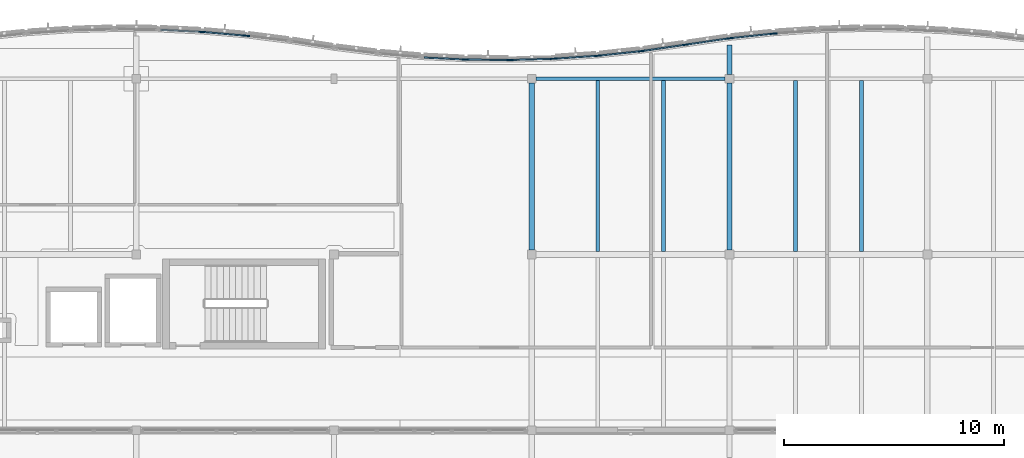
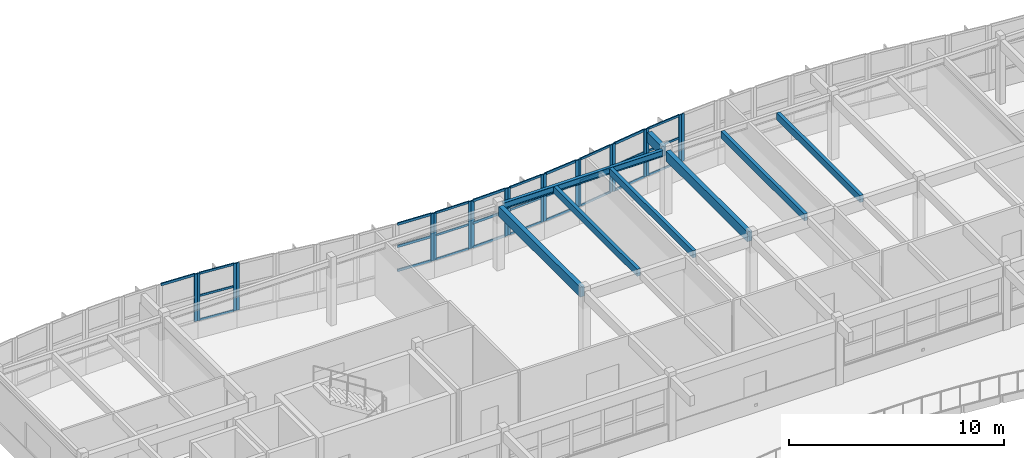
# One storey, part 14 of 52: 48 members, 8 beams, 12 elements without a shape of their own.
"""IFC4 building model written with IfcOpenShell, lengths in metres."""

import ifcopenshell
import ifcopenshell.guid

model = None  # the IFC model being written
_history = None  # IfcOwnerHistory: only IFC2X3 demands one
_inside = {}  # id of a spatial element -> (the spatial element, [elements in it])
_under = {}  # id of a project, library or spatial element -> (it, [spatial elements below it])
_declared = {}  # id of a project -> (the project, [libraries it declares])
_typed = {}  # id of a type object -> (the type object, [elements of that type])
_made_of = {}  # id of a material, layer set ... -> (it, [elements and type objects made of it])


def new_model(schema):
    """Start an empty IFC model of exactly this schema.

    Asked for "IFC4X3", IfcOpenShell would pick the latest addendum, in which some entities
    have other attributes; the version numbers below select the first issue.
    IFC2X3 requires an IfcOwnerHistory on every rooted entity: one is made here for all.
    """
    global model, _history
    if schema == "IFC4X3":
        model = ifcopenshell.file(schema_version=(4, 3, 0, 0))
    else:
        model = ifcopenshell.file(schema=schema)
    _inside.clear()
    _under.clear()
    _declared.clear()
    _typed.clear()
    _made_of.clear()
    _history = None
    if model.schema == "IFC2X3":
        org = make("IfcOrganization", Name="unknown")
        user = make(
            "IfcPersonAndOrganization",
            ThePerson=make("IfcPerson", FamilyName="unknown"),
            TheOrganization=org,
        )
        app = make(
            "IfcApplication",
            ApplicationDeveloper=org,
            Version="unknown",
            ApplicationFullName="unknown",
            ApplicationIdentifier="unknown",
        )
        _history = make(
            "IfcOwnerHistory",
            OwningUser=user,
            OwningApplication=app,
            ChangeAction="ADDED",
            CreationDate=0,
        )
    return model


def make(cls, **values):
    """One entity of the class cls with the attributes given. An attribute that is None is left unset."""
    return model.create_entity(
        cls, **{name: value for name, value in values.items() if value is not None}
    )


def rooted(cls, **values):
    """An entity with a GlobalId (a new one), such as an element, a storey or a relation."""
    return make(cls, GlobalId=ifcopenshell.guid.new(), OwnerHistory=_history, **values)


def si_unit(unit_type, name, prefix=None):
    """IfcSIUnit, for example si_unit("LENGTHUNIT", "METRE", prefix="MILLI")."""
    return make("IfcSIUnit", UnitType=unit_type, Prefix=prefix, Name=name)


def assignment(units):
    """IfcUnitAssignment: the units of a project."""
    return None if units is None else make("IfcUnitAssignment", Units=units)


def point(xyz):
    """IfcCartesianPoint."""
    return None if xyz is None else make("IfcCartesianPoint", Coordinates=xyz)


def direction(xyz):
    """IfcDirection."""
    return None if xyz is None else make("IfcDirection", DirectionRatios=xyz)


def frame(location, z_axis=None, x_axis=None):
    """IfcAxis2Placement3D, a coordinate frame: its origin and axes. An axis left out is left unset."""
    return make(
        "IfcAxis2Placement3D",
        Location=point(location),
        Axis=direction(z_axis),
        RefDirection=direction(x_axis),
    )


def frame_2d(location, x_axis=None):
    """IfcAxis2Placement2D, a coordinate frame in the plane: its origin and x axis."""
    return make(
        "IfcAxis2Placement2D", Location=point(location), RefDirection=direction(x_axis)
    )


def origin():
    """The frame at (0, 0, 0) with its axes left unset."""
    return frame((0.0, 0.0, 0.0))


def origin_2d():
    """The frame at (0, 0) in the plane with its x axis left unset."""
    return frame_2d((0.0, 0.0))


def place(relative_to, where):
    """IfcLocalPlacement: puts the frame where relative to a parent placement (None: the world)."""
    return make(
        "IfcLocalPlacement", PlacementRelTo=relative_to, RelativePlacement=where
    )


def context(
    kind, dimensions, precision=None, world=None, true_north=None, identifier=None
):
    """IfcGeometricRepresentationContext, for example the 3D "Model" context."""
    return make(
        "IfcGeometricRepresentationContext",
        ContextIdentifier=identifier,
        ContextType=kind,
        CoordinateSpaceDimension=dimensions,
        Precision=precision,
        WorldCoordinateSystem=world,
        TrueNorth=true_north,
    )


def subcontext(parent, identifier, kind, view, scale=None):
    """IfcGeometricRepresentationSubContext, for example "Body" below "Model"."""
    return make(
        "IfcGeometricRepresentationSubContext",
        ContextIdentifier=identifier,
        ContextType=kind,
        ParentContext=parent,
        TargetScale=scale,
        TargetView=view,
    )


def project(units=None, contexts=None):
    """IfcProject with its units and contexts."""
    return rooted(
        "IfcProject",
        Name="project",
        RepresentationContexts=contexts,
        UnitsInContext=assignment(units),
    )


def spatial(cls, under=None, at=None, **own):
    """A site, building, storey or space (cls), placed at a placement, below another one or the project."""
    s = rooted(cls, ObjectPlacement=at, **own)
    if under is not None:
        _under.setdefault(under.id(), (under, []))[1].append(s)
    return s


def profile(cls, at=None, kind="AREA", **sizes):
    """A parametric profile (cls). Its sizes go by their IFC names, for example OverallWidth=200.0."""
    return make(cls, ProfileType=kind, Position=at, **sizes)


def rectangle(**sizes):
    """IfcRectangleProfileDef."""
    return profile("IfcRectangleProfileDef", **sizes)


def i_section(**sizes):
    """IfcIShapeProfileDef."""
    return profile("IfcIShapeProfileDef", **sizes)


def extrude(swept, where, along, depth):
    """IfcExtrudedAreaSolid: the profile swept, set in the frame where, extruded along a direction by depth."""
    return make(
        "IfcExtrudedAreaSolid",
        SweptArea=swept,
        Position=where,
        ExtrudedDirection=direction(along),
        Depth=depth,
    )


def shape(context_of_items, identifier, shape_type, items):
    """IfcShapeRepresentation: the items that make up one representation, for example the "Body"."""
    return make(
        "IfcShapeRepresentation",
        ContextOfItems=context_of_items,
        RepresentationIdentifier=identifier,
        RepresentationType=shape_type,
        Items=items,
    )


def material(Name=None, Category=None):
    """IfcMaterial."""
    return make("IfcMaterial", Name=Name, Category=Category)


def layer(
    of_material, thickness, ventilated=None, Name=None, Category=None, Priority=None
):
    """IfcMaterialLayer: one layer of a wall or slab, of a material (None: an air gap)."""
    return make(
        "IfcMaterialLayer",
        Material=of_material,
        LayerThickness=thickness,
        IsVentilated=ventilated,
        Name=Name,
        Category=Category,
        Priority=Priority,
    )


def layer_set(layers, Name=None):
    """IfcMaterialLayerSet."""
    return make("IfcMaterialLayerSet", MaterialLayers=layers, LayerSetName=Name)


def material_profile(
    of_material, cross_section, Name=None, Category=None, Priority=None
):
    """IfcMaterialProfile: a cross section and its material."""
    return make(
        "IfcMaterialProfile",
        Name=Name,
        Material=of_material,
        Profile=cross_section,
        Priority=Priority,
        Category=Category,
    )


def profile_set(profiles, Name=None, composite=None):
    """IfcMaterialProfileSet."""
    return make(
        "IfcMaterialProfileSet",
        Name=Name,
        MaterialProfiles=profiles,
        CompositeProfile=composite,
    )


def made_of(thing, what):
    """Note that an element or type object is made of a material, layer set ...; save() writes the relation."""
    if what is not None:
        _made_of.setdefault(what.id(), (what, []))[1].append(thing)
    return thing


def type_object(cls, material=None, **own):
    """A type object (cls), such as IfcWallType, which elements share."""
    return made_of(rooted(cls, **own), material)


def element(
    cls,
    number,
    at=None,
    inside=None,
    cuts=None,
    type_object=None,
    material=None,
    context=None,
    identifier="Body",
    shape_type=None,
    held_by="IfcProductDefinitionShape",
    body=None,
    shapes=None,
    **own,
):
    """One element of the class cls, such as IfcWall. Its Tag is "e" and its number.

    at: its placement. inside: the storey or other place that contains it. cuts: it is an
    opening in that element (IfcRelVoidsElement). A single representation is given by context,
    identifier, shape_type and body (its items); several are given by shapes. held_by: the class
    of the entity that holds the representations. save() writes the other relations.
    """
    e = rooted(cls, Tag="e%d" % number, ObjectPlacement=at, **own)
    if body is not None:
        shapes = [shape(context, identifier, shape_type, body)]
    if shapes is not None:
        e.Representation = make(held_by, Representations=shapes)
    if inside is not None:
        _inside.setdefault(inside.id(), (inside, []))[1].append(e)
    if cuts is not None:
        rooted(
            "IfcRelVoidsElement", RelatingBuildingElement=cuts, RelatedOpeningElement=e
        )
    if type_object is not None:
        _typed.setdefault(type_object.id(), (type_object, []))[1].append(e)
    return made_of(e, material)


def aggregate(whole, parts):
    """IfcRelAggregates: a whole, such as a stair, and the parts it consists of."""
    return rooted("IfcRelAggregates", RelatingObject=whole, RelatedObjects=parts)


def save(model, path):
    """Write the relations noted so far, then the file.

    IfcRelAggregates (storeys below a building ...), IfcRelContainedInSpatialStructure (elements
    in a storey), IfcRelDefinesByType, IfcRelAssociatesMaterial and IfcRelDeclares: one each for
    every whole, place, type object, material and project.
    """
    for whole, parts in _under.values():
        aggregate(whole, parts)
    for where, things in _inside.values():
        rooted(
            "IfcRelContainedInSpatialStructure",
            RelatedElements=things,
            RelatingStructure=where,
        )
    for kind, things in _typed.values():
        rooted("IfcRelDefinesByType", RelatedObjects=things, RelatingType=kind)
    for what, things in _made_of.values():
        rooted("IfcRelAssociatesMaterial", RelatedObjects=things, RelatingMaterial=what)
    for by, libraries in _declared.values():
        rooted("IfcRelDeclares", RelatingContext=by, RelatedDefinitions=libraries)
    model.write(path)


model = new_model("IFC4")

# Units and contexts
model_context = context("Model", 3, precision=1e-05, world=origin(), true_north=direction((0.0, 1.0)))
body_context = subcontext(model_context, "Body", "Model", "MODEL_VIEW")
ifc_project = project(units=[si_unit("LENGTHUNIT", "METRE"), si_unit("AREAUNIT", "SQUARE_METRE"), si_unit("VOLUMEUNIT", "CUBIC_METRE"), si_unit("PLANEANGLEUNIT", "RADIAN"), si_unit("MASSUNIT", "GRAM", prefix="KILO")], contexts=[model_context])

# Site, building, storey
site_placement = place(None, origin())
site = spatial("IfcSite", under=ifc_project, at=site_placement, CompositionType="ELEMENT")
building_placement = place(site_placement, origin())
building = spatial("IfcBuilding", under=site, at=building_placement, Name="Tonlespit Floodbar School", CompositionType="ELEMENT")
storey_placement = place(building_placement, frame((0.0, 0.0, 12.300048828125)))
storey = spatial("IfcBuildingStorey", under=building, at=storey_placement, Name="L03", CompositionType="ELEMENT", Elevation=12.300048828125)

# Beams
ifc_material_1 = material(Name="Glulam GL28h", Category="wood")
ifc_material_profile_1 = material_profile(ifc_material_1, rectangle(XDim=0.239990234375, YDim=0.56005859375, at=origin_2d()), Name="GL 240x560")
ifc_profile_set_1 = profile_set([ifc_material_profile_1], Name="Glulam GL28h")
beam_type_1 = type_object("IfcBeamType", Name="Beam_GL_240x560", PredefinedType="BEAM", material=ifc_profile_set_1)
for number, where, z_axis, x_axis, name in (
    (1, (71.0, 112.199951171875, 3.369873046875), (0.0, 1.0, 0.0), (-1.0, 0.0, 0.0), "L03 girder 1226"),
    (2, (80.0, 112.199951171875, 3.369873046875), (0.0, 1.0, 0.0), (-1.0, 0.0, 0.0), "L03 girder 1228"),
):
    element("IfcBeam", number, at=place(storey_placement, frame(where, z_axis=z_axis, x_axis=x_axis)), inside=storey, type_object=beam_type_1, Name=name, PredefinedType="BEAM", context=body_context, shape_type="SweptSolid", body=[
        extrude(rectangle(XDim=0.239990234375, YDim=0.56005859375, at=origin_2d()), origin(), (0.0, 0.0, 1.0), 7.60009765625),
    ])
beam_1_placement = place(storey_placement, frame((80.0, 120.199951171875, 3.369873046875), z_axis=(0.0, 1.0, 0.0), x_axis=(-1.0, 0.0, 0.0)))
element("IfcBeam", 3, at=beam_1_placement, inside=storey, type_object=beam_type_1, Name="L03 north street wave cantilever bracket", PredefinedType="BEAM", context=body_context, shape_type="SweptSolid", body=[
    extrude(rectangle(XDim=0.239990234375, YDim=0.56005859375, at=origin_2d()), origin(), (0.0, 0.0, 1.0), 1.341552734375),
])

# Curtain wall, members
ifc_material_2 = material(Name="Anodised Aluminium", Category="aluminium")
ifc_layer_1 = layer(ifc_material_2, 0.159912109375)
ifc_layer_set_1 = layer_set([ifc_layer_1], Name="Anodised Aluminium")
curtain_wall_type_1 = type_object("IfcCurtainWallType", Name="CurtainWall_1950x2700", PredefinedType="NOTDEFINED", material=ifc_layer_set_1)
curtain_wall_1_placement = place(storey_placement, origin())
curtain_wall_1 = element("IfcCurtainWall", 4, at=curtain_wall_1_placement, inside=storey, type_object=curtain_wall_type_1, Name="L03 unitised curtain wall 0130", PredefinedType="NOTDEFINED")
ifc_material_profile_2 = material_profile(ifc_material_2, rectangle(XDim=0.06494140625, YDim=0.14990234375, at=origin_2d()), Name="ALU M65x150")
ifc_profile_set_2 = profile_set([ifc_material_profile_2], Name="Anodised Aluminium")
member_type_1 = type_object("IfcMemberType", Name="CW_Mullion_65x150", PredefinedType="MULLION", material=ifc_profile_set_2)
member_1_placement = place(storey_placement, frame((56.072265625, 122.125244140625, 0.949951171875), z_axis=(0.0, 0.0, 1.0), x_axis=(0.086531117454, 0.996249148412, 0.0)))
member_1 = element("IfcMember", 5, at=member_1_placement, type_object=member_type_1, Name="CW-04 mullion 1", PredefinedType="MULLION", context=body_context, shape_type="SweptSolid", body=[
    extrude(rectangle(XDim=0.06494140625, YDim=0.14990234375, at=origin_2d()), origin(), (0.0, 0.0, 1.0), 2.699951171875),
])
member_2_placement = place(storey_placement, frame((57.927734375, 121.964111328125, 0.949951171875), z_axis=(0.0, 0.0, 1.0), x_axis=(0.086531117454, 0.996249148412, 0.0)))
member_2 = element("IfcMember", 6, at=member_2_placement, type_object=member_type_1, Name="CW-04 mullion 2", PredefinedType="MULLION", context=body_context, shape_type="SweptSolid", body=[
    extrude(rectangle(XDim=0.06494140625, YDim=0.14990234375, at=origin_2d()), origin(), (0.0, 0.0, 1.0), 2.699951171875),
])

ifc_layer_2 = layer(ifc_material_2, 0.159912109375)
ifc_layer_set_2 = layer_set([ifc_layer_2], Name="Anodised Aluminium")
curtain_wall_type_2 = type_object("IfcCurtainWallType", Name="CurtainWall_1900x2700", PredefinedType="NOTDEFINED", material=ifc_layer_set_2)
curtain_wall_2_placement = place(storey_placement, origin())
curtain_wall_2 = element("IfcCurtainWall", 7, at=curtain_wall_2_placement, inside=storey, type_object=curtain_wall_type_2, Name="L03 unitised curtain wall 0136", PredefinedType="NOTDEFINED")
member_3_placement = place(storey_placement, frame((68.072509765625, 120.87158203125, 0.949951171875), z_axis=(0.0, 0.0, 1.0), x_axis=(0.009582893292, 0.999954083024, 0.0)))
member_3 = element("IfcMember", 8, at=member_3_placement, type_object=member_type_1, Name="CW-05 mullion 1", PredefinedType="MULLION", context=body_context, shape_type="SweptSolid", body=[
    extrude(rectangle(XDim=0.06494140625, YDim=0.14990234375, at=origin_2d()), origin(), (0.0, 0.0, 1.0), 2.699951171875),
])
member_4_placement = place(storey_placement, frame((69.927490234375, 120.853759765625, 0.949951171875), z_axis=(0.0, 0.0, 1.0), x_axis=(0.009582893292, 0.999954083024, 0.0)))
member_4 = element("IfcMember", 9, at=member_4_placement, type_object=member_type_1, Name="CW-05 mullion 2", PredefinedType="MULLION", context=body_context, shape_type="SweptSolid", body=[
    extrude(rectangle(XDim=0.06494140625, YDim=0.14990234375, at=origin_2d()), origin(), (0.0, 0.0, 1.0), 2.699951171875),
])

curtain_wall_3_placement = place(storey_placement, origin())
curtain_wall_3 = element("IfcCurtainWall", 10, at=curtain_wall_3_placement, inside=storey, type_object=curtain_wall_type_2, Name="L03 unitised curtain wall 0138", PredefinedType="NOTDEFINED")
member_5_placement = place(storey_placement, frame((72.072265625, 120.91552734375, 0.949951171875), z_axis=(0.0, 0.0, 1.0), x_axis=(-0.067339767311, 0.99773010165, 0.0)))
member_5 = element("IfcMember", 11, at=member_5_placement, type_object=member_type_1, Name="CW-05 mullion 1", PredefinedType="MULLION", context=body_context, shape_type="SweptSolid", body=[
    extrude(rectangle(XDim=0.06494140625, YDim=0.14990234375, at=origin_2d()), origin(), (0.0, 0.0, 1.0), 2.699951171875),
])
member_6_placement = place(storey_placement, frame((73.927734375, 121.040771484375, 0.949951171875), z_axis=(0.0, 0.0, 1.0), x_axis=(-0.067339767311, 0.99773010165, 0.0)))
member_6 = element("IfcMember", 12, at=member_6_placement, type_object=member_type_1, Name="CW-05 mullion 2", PredefinedType="MULLION", context=body_context, shape_type="SweptSolid", body=[
    extrude(rectangle(XDim=0.06494140625, YDim=0.14990234375, at=origin_2d()), origin(), (0.0, 0.0, 1.0), 2.699951171875),
])

curtain_wall_4_placement = place(storey_placement, origin())
curtain_wall_4 = element("IfcCurtainWall", 13, at=curtain_wall_4_placement, inside=storey, type_object=curtain_wall_type_1, Name="L03 unitised curtain wall 0140", PredefinedType="NOTDEFINED")
member_7_placement = place(storey_placement, frame((76.07177734375, 121.268798828125, 0.949951171875), z_axis=(0.0, 0.0, 1.0), x_axis=(-0.144248041079, 0.989541561858, 0.0)))
member_7 = element("IfcMember", 14, at=member_7_placement, type_object=member_type_1, Name="CW-04 mullion 1", PredefinedType="MULLION", context=body_context, shape_type="SweptSolid", body=[
    extrude(rectangle(XDim=0.06494140625, YDim=0.14990234375, at=origin_2d()), origin(), (0.0, 0.0, 1.0), 2.699951171875),
])
member_8_placement = place(storey_placement, frame((77.92822265625, 121.53955078125, 0.949951171875), z_axis=(0.0, 0.0, 1.0), x_axis=(-0.144248041079, 0.989541561858, 0.0)))
member_8 = element("IfcMember", 15, at=member_8_placement, type_object=member_type_1, Name="CW-04 mullion 2", PredefinedType="MULLION", context=body_context, shape_type="SweptSolid", body=[
    extrude(rectangle(XDim=0.06494140625, YDim=0.14990234375, at=origin_2d()), origin(), (0.0, 0.0, 1.0), 2.699951171875),
])

curtain_wall_5_placement = place(storey_placement, origin())
curtain_wall_5 = element("IfcCurtainWall", 16, at=curtain_wall_5_placement, inside=storey, type_object=curtain_wall_type_1, Name="L03 unitised curtain wall 0142", PredefinedType="NOTDEFINED")
member_9_placement = place(storey_placement, frame((80.072021484375, 121.84912109375, 0.949951171875), z_axis=(0.0, 0.0, 1.0), x_axis=(-0.105787143968, 0.994388797288, 0.0)))
member_9 = element("IfcMember", 17, at=member_9_placement, type_object=member_type_1, Name="CW-04 mullion 1", PredefinedType="MULLION", context=body_context, shape_type="SweptSolid", body=[
    extrude(rectangle(XDim=0.06494140625, YDim=0.14990234375, at=origin_2d()), origin(), (0.0, 0.0, 1.0), 2.699951171875),
])
member_10_placement = place(storey_placement, frame((81.927978515625, 122.046630859375, 0.949951171875), z_axis=(0.0, 0.0, 1.0), x_axis=(-0.105787143968, 0.994388797288, 0.0)))
member_10 = element("IfcMember", 18, at=member_10_placement, type_object=member_type_1, Name="CW-04 mullion 2", PredefinedType="MULLION", context=body_context, shape_type="SweptSolid", body=[
    extrude(rectangle(XDim=0.06494140625, YDim=0.14990234375, at=origin_2d()), origin(), (0.0, 0.0, 1.0), 2.699951171875),
])

# Curtain wall, member
curtain_wall_6_placement = place(storey_placement, origin())
curtain_wall_6 = element("IfcCurtainWall", 19, at=curtain_wall_6_placement, inside=storey, type_object=curtain_wall_type_2, Name="L03 unitised curtain wall 0129", PredefinedType="NOTDEFINED")
ifc_material_profile_3 = material_profile(ifc_material_2, rectangle(XDim=0.06494140625, YDim=0.179931640625, at=origin_2d()), Name="ALU M65x180")
ifc_profile_set_3 = profile_set([ifc_material_profile_3], Name="Anodised Aluminium")
member_type_2 = type_object("IfcMemberType", Name="CW_Mullion_65x180", PredefinedType="MULLION", material=ifc_profile_set_3)
member_11_placement = place(storey_placement, frame((55.927490234375, 122.135009765625, 0.949951171875), z_axis=(0.0, 0.0, 1.0), x_axis=(0.048121270216, 0.998841500616, 0.0)))
member_11 = element("IfcMember", 20, at=member_11_placement, type_object=member_type_2, Name="CW-05 mullion 2", PredefinedType="MULLION", context=body_context, shape_type="SweptSolid", body=[
    extrude(rectangle(XDim=0.06494140625, YDim=0.179931640625, at=origin_2d()), origin(), (0.0, 0.0, 1.0), 2.699951171875),
])

curtain_wall_7_placement = place(storey_placement, origin())
curtain_wall_7 = element("IfcCurtainWall", 21, at=curtain_wall_7_placement, inside=storey, type_object=curtain_wall_type_1, Name="L03 unitised curtain wall 0131", PredefinedType="NOTDEFINED")
member_12_placement = place(storey_placement, frame((58.072021484375, 121.94873046875, 0.949951171875), z_axis=(0.0, 0.0, 1.0), x_axis=(0.125013803299, 0.992155002499, 0.0)))
member_12 = element("IfcMember", 22, at=member_12_placement, type_object=member_type_2, Name="CW-04 mullion 1", PredefinedType="MULLION", context=body_context, shape_type="SweptSolid", body=[
    extrude(rectangle(XDim=0.06494140625, YDim=0.179931640625, at=origin_2d()), origin(), (0.0, 0.0, 1.0), 2.699951171875),
])
aggregate(curtain_wall_7, [member_12])

curtain_wall_8_placement = place(storey_placement, origin())
curtain_wall_8 = element("IfcCurtainWall", 23, at=curtain_wall_8_placement, inside=storey, type_object=curtain_wall_type_2, Name="L03 unitised curtain wall 0135", PredefinedType="NOTDEFINED")
member_13_placement = place(storey_placement, frame((67.927490234375, 120.875732421875, 0.949951171875), z_axis=(0.0, 0.0, 1.0), x_axis=(0.048121270216, 0.998841500616, 0.0)))
member_13 = element("IfcMember", 24, at=member_13_placement, type_object=member_type_2, Name="CW-05 mullion 2", PredefinedType="MULLION", context=body_context, shape_type="SweptSolid", body=[
    extrude(rectangle(XDim=0.06494140625, YDim=0.179931640625, at=origin_2d()), origin(), (0.0, 0.0, 1.0), 2.699951171875),
])

# Curtain wall, members
curtain_wall_9_placement = place(storey_placement, origin())
curtain_wall_9 = element("IfcCurtainWall", 25, at=curtain_wall_9_placement, inside=storey, type_object=curtain_wall_type_2, Name="L03 unitised curtain wall 0137", PredefinedType="NOTDEFINED")
member_14_placement = place(storey_placement, frame((70.072509765625, 120.855224609375, 0.949951171875), z_axis=(0.0, 0.0, 1.0), x_axis=(-0.028790144226, 0.999585477883, 0.0)))
member_14 = element("IfcMember", 26, at=member_14_placement, type_object=member_type_2, Name="CW-05 mullion 1", PredefinedType="MULLION", context=body_context, shape_type="SweptSolid", body=[
    extrude(rectangle(XDim=0.06494140625, YDim=0.179931640625, at=origin_2d()), origin(), (0.0, 0.0, 1.0), 2.699951171875),
])
member_15_placement = place(storey_placement, frame((71.927490234375, 120.908447265625, 0.949951171875), z_axis=(0.0, 0.0, 1.0), x_axis=(-0.028790144226, 0.999585477883, 0.0)))
member_15 = element("IfcMember", 27, at=member_15_placement, type_object=member_type_2, Name="CW-05 mullion 2", PredefinedType="MULLION", context=body_context, shape_type="SweptSolid", body=[
    extrude(rectangle(XDim=0.06494140625, YDim=0.179931640625, at=origin_2d()), origin(), (0.0, 0.0, 1.0), 2.699951171875),
])

curtain_wall_10_placement = place(storey_placement, origin())
curtain_wall_10 = element("IfcCurtainWall", 28, at=curtain_wall_10_placement, inside=storey, type_object=curtain_wall_type_1, Name="L03 unitised curtain wall 0139", PredefinedType="NOTDEFINED")
member_16_placement = place(storey_placement, frame((74.072021484375, 121.05322265625, 0.949951171875), z_axis=(0.0, 0.0, 1.0), x_axis=(-0.105787143968, 0.994388797288, 0.0)))
member_16 = element("IfcMember", 29, at=member_16_placement, type_object=member_type_2, Name="CW-04 mullion 1", PredefinedType="MULLION", context=body_context, shape_type="SweptSolid", body=[
    extrude(rectangle(XDim=0.06494140625, YDim=0.179931640625, at=origin_2d()), origin(), (0.0, 0.0, 1.0), 2.699951171875),
])
member_17_placement = place(storey_placement, frame((75.927978515625, 121.250732421875, 0.949951171875), z_axis=(0.0, 0.0, 1.0), x_axis=(-0.105787143968, 0.994388797288, 0.0)))
member_17 = element("IfcMember", 30, at=member_17_placement, type_object=member_type_2, Name="CW-04 mullion 2", PredefinedType="MULLION", context=body_context, shape_type="SweptSolid", body=[
    extrude(rectangle(XDim=0.06494140625, YDim=0.179931640625, at=origin_2d()), origin(), (0.0, 0.0, 1.0), 2.699951171875),
])

curtain_wall_11_placement = place(storey_placement, origin())
curtain_wall_11 = element("IfcCurtainWall", 31, at=curtain_wall_11_placement, inside=storey, type_object=curtain_wall_type_1, Name="L03 unitised curtain wall 0141", PredefinedType="NOTDEFINED")
member_18_placement = place(storey_placement, frame((78.07177734375, 121.560546875, 0.949951171875), z_axis=(0.0, 0.0, 1.0), x_axis=(-0.144248041079, 0.989541561858, 0.0)))
member_18 = element("IfcMember", 32, at=member_18_placement, type_object=member_type_2, Name="CW-04 mullion 1", PredefinedType="MULLION", context=body_context, shape_type="SweptSolid", body=[
    extrude(rectangle(XDim=0.06494140625, YDim=0.179931640625, at=origin_2d()), origin(), (0.0, 0.0, 1.0), 2.699951171875),
])
member_19_placement = place(storey_placement, frame((79.92822265625, 121.8310546875, 0.949951171875), z_axis=(0.0, 0.0, 1.0), x_axis=(-0.144248041079, 0.989541561858, 0.0)))
member_19 = element("IfcMember", 33, at=member_19_placement, type_object=member_type_2, Name="CW-04 mullion 2", PredefinedType="MULLION", context=body_context, shape_type="SweptSolid", body=[
    extrude(rectangle(XDim=0.06494140625, YDim=0.179931640625, at=origin_2d()), origin(), (0.0, 0.0, 1.0), 2.699951171875),
])

# Curtain wall, member
curtain_wall_12_placement = place(storey_placement, origin())
curtain_wall_12 = element("IfcCurtainWall", 34, at=curtain_wall_12_placement, inside=storey, type_object=curtain_wall_type_2, Name="L03 unitised curtain wall 0143", PredefinedType="NOTDEFINED")
member_20_placement = place(storey_placement, frame((82.072265625, 122.05908203125, 0.949951171875), z_axis=(0.0, 0.0, 1.0), x_axis=(-0.067339767311, 0.99773010165, 0.0)))
member_20 = element("IfcMember", 35, at=member_20_placement, type_object=member_type_2, Name="CW-05 mullion 1", PredefinedType="MULLION", context=body_context, shape_type="SweptSolid", body=[
    extrude(rectangle(XDim=0.06494140625, YDim=0.179931640625, at=origin_2d()), origin(), (0.0, 0.0, 1.0), 2.699951171875),
])
aggregate(curtain_wall_12, [member_20])

# Member
ifc_material_profile_4 = material_profile(ifc_material_2, rectangle(XDim=0.06494140625, YDim=0.1201171875, at=origin_2d()), Name="ALU T65x120")
ifc_profile_set_4 = profile_set([ifc_material_profile_4], Name="Anodised Aluminium")
member_type_3 = type_object("IfcMemberType", Name="CW_Transom_65x120", PredefinedType="USERDEFINED", material=ifc_profile_set_4)
member_21_placement = place(storey_placement, frame((56.1044921875, 122.122314453125, 0.982421875), z_axis=(0.996251281774, -0.086506552139, 0.0), x_axis=(0.086506552139, 0.996251281774, 0.0)))
member_21 = element("IfcMember", 36, at=member_21_placement, type_object=member_type_3, Name="CW-04 transom 1.1", ObjectType="TRANSOM", PredefinedType="USERDEFINED", context=body_context, shape_type="SweptSolid", body=[
    extrude(rectangle(XDim=0.06494140625, YDim=0.1201171875, at=origin_2d()), origin(), (0.0, 0.0, 1.0), 1.7978515625),
])

member_22_placement = place(storey_placement, frame((56.1044921875, 122.122314453125, 2.35400390625), z_axis=(0.996251281774, -0.086506552139, 0.0), x_axis=(0.086506552139, 0.996251281774, 0.0)))
member_22 = element("IfcMember", 37, at=member_22_placement, type_object=member_type_3, Name="CW-04 transom 1.2", ObjectType="TRANSOM", PredefinedType="USERDEFINED", context=body_context, shape_type="SweptSolid", body=[
    extrude(rectangle(XDim=0.06494140625, YDim=0.1201171875, at=origin_2d()), origin(), (0.0, 0.0, 1.0), 1.7978515625),
])

member_23_placement = place(storey_placement, frame((56.1044921875, 122.122314453125, 3.617431640625), z_axis=(0.996251281774, -0.086506552139, 0.0), x_axis=(0.086506552139, 0.996251281774, 0.0)))
member_23 = element("IfcMember", 38, at=member_23_placement, type_object=member_type_3, Name="CW-04 transom 1.3", ObjectType="TRANSOM", PredefinedType="USERDEFINED", context=body_context, shape_type="SweptSolid", body=[
    extrude(rectangle(XDim=0.06494140625, YDim=0.1201171875, at=origin_2d()), origin(), (0.0, 0.0, 1.0), 1.7978515625),
])

aggregate(curtain_wall_1, [member_1, member_2, member_21, member_22, member_23])

member_24_placement = place(storey_placement, frame((68.10498046875, 120.87109375, 0.982421875), z_axis=(0.999954428693, -0.00954675532, 0.0), x_axis=(0.00954675532, 0.999954428693, 0.0)))
member_24 = element("IfcMember", 39, at=member_24_placement, type_object=member_type_3, Name="CW-05 transom 1.1", ObjectType="TRANSOM", PredefinedType="USERDEFINED", context=body_context, shape_type="SweptSolid", body=[
    extrude(rectangle(XDim=0.06494140625, YDim=0.1201171875, at=origin_2d()), origin(), (0.0, 0.0, 1.0), 1.7900390625),
])

member_25_placement = place(storey_placement, frame((68.10498046875, 120.87109375, 2.35400390625), z_axis=(0.999954428693, -0.00954675532, 0.0), x_axis=(0.00954675532, 0.999954428693, 0.0)))
member_25 = element("IfcMember", 40, at=member_25_placement, type_object=member_type_3, Name="CW-05 transom 1.2", ObjectType="TRANSOM", PredefinedType="USERDEFINED", context=body_context, shape_type="SweptSolid", body=[
    extrude(rectangle(XDim=0.06494140625, YDim=0.1201171875, at=origin_2d()), origin(), (0.0, 0.0, 1.0), 1.7900390625),
])

member_26_placement = place(storey_placement, frame((68.10498046875, 120.87109375, 3.617431640625), z_axis=(0.999954428693, -0.00954675532, 0.0), x_axis=(0.00954675532, 0.999954428693, 0.0)))
member_26 = element("IfcMember", 41, at=member_26_placement, type_object=member_type_3, Name="CW-05 transom 1.3", ObjectType="TRANSOM", PredefinedType="USERDEFINED", context=body_context, shape_type="SweptSolid", body=[
    extrude(rectangle(XDim=0.06494140625, YDim=0.1201171875, at=origin_2d()), origin(), (0.0, 0.0, 1.0), 1.7900390625),
])

aggregate(curtain_wall_2, [member_3, member_4, member_24, member_25, member_26])

member_27_placement = place(storey_placement, frame((72.104736328125, 120.917724609375, 0.982421875), z_axis=(0.997730041674, 0.067340655935, 0.0), x_axis=(-0.067340655935, 0.997730041674, 0.0)))
member_27 = element("IfcMember", 42, at=member_27_placement, type_object=member_type_3, Name="CW-05 transom 1.1", ObjectType="TRANSOM", PredefinedType="USERDEFINED", context=body_context, shape_type="SweptSolid", body=[
    extrude(rectangle(XDim=0.06494140625, YDim=0.1201171875, at=origin_2d()), origin(), (0.0, 0.0, 1.0), 1.794677734375),
])

member_28_placement = place(storey_placement, frame((72.104736328125, 120.917724609375, 2.35400390625), z_axis=(0.997730041674, 0.067340655935, 0.0), x_axis=(-0.067340655935, 0.997730041674, 0.0)))
member_28 = element("IfcMember", 43, at=member_28_placement, type_object=member_type_3, Name="CW-05 transom 1.2", ObjectType="TRANSOM", PredefinedType="USERDEFINED", context=body_context, shape_type="SweptSolid", body=[
    extrude(rectangle(XDim=0.06494140625, YDim=0.1201171875, at=origin_2d()), origin(), (0.0, 0.0, 1.0), 1.794677734375),
])

member_29_placement = place(storey_placement, frame((72.104736328125, 120.917724609375, 3.617431640625), z_axis=(0.997730041674, 0.067340655935, 0.0), x_axis=(-0.067340655935, 0.997730041674, 0.0)))
member_29 = element("IfcMember", 44, at=member_29_placement, type_object=member_type_3, Name="CW-05 transom 1.3", ObjectType="TRANSOM", PredefinedType="USERDEFINED", context=body_context, shape_type="SweptSolid", body=[
    extrude(rectangle(XDim=0.06494140625, YDim=0.1201171875, at=origin_2d()), origin(), (0.0, 0.0, 1.0), 1.794677734375),
])

aggregate(curtain_wall_3, [member_5, member_6, member_27, member_28, member_29])

member_30_placement = place(storey_placement, frame((76.10400390625, 121.273681640625, 0.982421875), z_axis=(0.989541000818, 0.144251889765, 0.0), x_axis=(-0.144251889765, 0.989541000818, 0.0)))
member_30 = element("IfcMember", 45, at=member_30_placement, type_object=member_type_3, Name="CW-04 transom 1.1", ObjectType="TRANSOM", PredefinedType="USERDEFINED", context=body_context, shape_type="SweptSolid", body=[
    extrude(rectangle(XDim=0.06494140625, YDim=0.1201171875, at=origin_2d()), origin(), (0.0, 0.0, 1.0), 1.81103515625),
])

member_31_placement = place(storey_placement, frame((76.10400390625, 121.273681640625, 2.35400390625), z_axis=(0.989541000818, 0.144251889765, 0.0), x_axis=(-0.144251889765, 0.989541000818, 0.0)))
member_31 = element("IfcMember", 46, at=member_31_placement, type_object=member_type_3, Name="CW-04 transom 1.2", ObjectType="TRANSOM", PredefinedType="USERDEFINED", context=body_context, shape_type="SweptSolid", body=[
    extrude(rectangle(XDim=0.06494140625, YDim=0.1201171875, at=origin_2d()), origin(), (0.0, 0.0, 1.0), 1.81103515625),
])

member_32_placement = place(storey_placement, frame((76.10400390625, 121.273681640625, 3.617431640625), z_axis=(0.989541000818, 0.144251889765, 0.0), x_axis=(-0.144251889765, 0.989541000818, 0.0)))
member_32 = element("IfcMember", 47, at=member_32_placement, type_object=member_type_3, Name="CW-04 transom 1.3", ObjectType="TRANSOM", PredefinedType="USERDEFINED", context=body_context, shape_type="SweptSolid", body=[
    extrude(rectangle(XDim=0.06494140625, YDim=0.1201171875, at=origin_2d()), origin(), (0.0, 0.0, 1.0), 1.81103515625),
])

aggregate(curtain_wall_4, [member_7, member_8, member_30, member_31, member_32])

member_33_placement = place(storey_placement, frame((80.1044921875, 121.852783203125, 0.982421875), z_axis=(0.994394979136, 0.105729019047, 0.0), x_axis=(-0.105729019047, 0.994394979136, 0.0)))
member_33 = element("IfcMember", 48, at=member_33_placement, type_object=member_type_3, Name="CW-04 transom 1.1", ObjectType="TRANSOM", PredefinedType="USERDEFINED", context=body_context, shape_type="SweptSolid", body=[
    extrude(rectangle(XDim=0.06494140625, YDim=0.1201171875, at=origin_2d()), origin(), (0.0, 0.0, 1.0), 1.801025390625),
])

member_34_placement = place(storey_placement, frame((80.1044921875, 121.852783203125, 2.35400390625), z_axis=(0.994394979136, 0.105729019047, 0.0), x_axis=(-0.105729019047, 0.994394979136, 0.0)))
member_34 = element("IfcMember", 49, at=member_34_placement, type_object=member_type_3, Name="CW-04 transom 1.2", ObjectType="TRANSOM", PredefinedType="USERDEFINED", context=body_context, shape_type="SweptSolid", body=[
    extrude(rectangle(XDim=0.06494140625, YDim=0.1201171875, at=origin_2d()), origin(), (0.0, 0.0, 1.0), 1.801025390625),
])

member_35_placement = place(storey_placement, frame((80.1044921875, 121.852783203125, 3.617431640625), z_axis=(0.994394979136, 0.105729019047, 0.0), x_axis=(-0.105729019047, 0.994394979136, 0.0)))
member_35 = element("IfcMember", 50, at=member_35_placement, type_object=member_type_3, Name="CW-04 transom 1.3", ObjectType="TRANSOM", PredefinedType="USERDEFINED", context=body_context, shape_type="SweptSolid", body=[
    extrude(rectangle(XDim=0.06494140625, YDim=0.1201171875, at=origin_2d()), origin(), (0.0, 0.0, 1.0), 1.801025390625),
])

aggregate(curtain_wall_5, [member_9, member_10, member_33, member_34, member_35])

ifc_material_profile_5 = material_profile(ifc_material_2, rectangle(XDim=0.06494140625, YDim=0.139892578125, at=origin_2d()), Name="ALU T65x140")
ifc_profile_set_5 = profile_set([ifc_material_profile_5], Name="Anodised Aluminium")
member_type_4 = type_object("IfcMemberType", Name="CW_Transom_65x140", PredefinedType="USERDEFINED", material=ifc_profile_set_5)
member_36_placement = place(storey_placement, frame((54.10498046875, 122.22265625, 3.617431640625), z_axis=(0.998843034795, -0.048089415069, 0.0), x_axis=(0.048089415069, 0.998843034795, 0.0)))
member_36 = element("IfcMember", 51, at=member_36_placement, type_object=member_type_4, Name="CW-05 transom 1.3", ObjectType="TRANSOM", PredefinedType="USERDEFINED", context=body_context, shape_type="SweptSolid", body=[
    extrude(rectangle(XDim=0.06494140625, YDim=0.139892578125, at=origin_2d()), origin(), (0.0, 0.0, 1.0), 1.7919921875),
])

aggregate(curtain_wall_6, [member_11, member_36])

member_37_placement = place(storey_placement, frame((66.10498046875, 120.96337890625, 0.982421875), z_axis=(0.998843034795, -0.048089415069, 0.0), x_axis=(0.048089415069, 0.998843034795, 0.0)))
member_37 = element("IfcMember", 52, at=member_37_placement, type_object=member_type_4, Name="CW-05 transom 1.1", ObjectType="TRANSOM", PredefinedType="USERDEFINED", context=body_context, shape_type="SweptSolid", body=[
    extrude(rectangle(XDim=0.06494140625, YDim=0.139892578125, at=origin_2d()), origin(), (0.0, 0.0, 1.0), 1.7919921875),
])

member_38_placement = place(storey_placement, frame((66.10498046875, 120.96337890625, 2.35400390625), z_axis=(0.998843034795, -0.048089415069, 0.0), x_axis=(0.048089415069, 0.998843034795, 0.0)))
member_38 = element("IfcMember", 53, at=member_38_placement, type_object=member_type_4, Name="CW-05 transom 1.2", ObjectType="TRANSOM", PredefinedType="USERDEFINED", context=body_context, shape_type="SweptSolid", body=[
    extrude(rectangle(XDim=0.06494140625, YDim=0.139892578125, at=origin_2d()), origin(), (0.0, 0.0, 1.0), 1.7919921875),
])

member_39_placement = place(storey_placement, frame((66.10498046875, 120.96337890625, 3.617431640625), z_axis=(0.998843034795, -0.048089415069, 0.0), x_axis=(0.048089415069, 0.998843034795, 0.0)))
member_39 = element("IfcMember", 54, at=member_39_placement, type_object=member_type_4, Name="CW-05 transom 1.3", ObjectType="TRANSOM", PredefinedType="USERDEFINED", context=body_context, shape_type="SweptSolid", body=[
    extrude(rectangle(XDim=0.06494140625, YDim=0.139892578125, at=origin_2d()), origin(), (0.0, 0.0, 1.0), 1.7919921875),
])

aggregate(curtain_wall_8, [member_13, member_37, member_38, member_39])

member_40_placement = place(storey_placement, frame((70.10498046875, 120.85595703125, 0.982421875), z_axis=(0.999582242166, 0.028902268868, 0.0), x_axis=(-0.028902268868, 0.999582242166, 0.0)))
member_40 = element("IfcMember", 55, at=member_40_placement, type_object=member_type_4, Name="CW-05 transom 1.1", ObjectType="TRANSOM", PredefinedType="USERDEFINED", context=body_context, shape_type="SweptSolid", body=[
    extrude(rectangle(XDim=0.06494140625, YDim=0.139892578125, at=origin_2d()), origin(), (0.0, 0.0, 1.0), 1.790771484375),
])

member_41_placement = place(storey_placement, frame((70.10498046875, 120.85595703125, 2.35400390625), z_axis=(0.999582242166, 0.028902268868, 0.0), x_axis=(-0.028902268868, 0.999582242166, 0.0)))
member_41 = element("IfcMember", 56, at=member_41_placement, type_object=member_type_4, Name="CW-05 transom 1.2", ObjectType="TRANSOM", PredefinedType="USERDEFINED", context=body_context, shape_type="SweptSolid", body=[
    extrude(rectangle(XDim=0.06494140625, YDim=0.139892578125, at=origin_2d()), origin(), (0.0, 0.0, 1.0), 1.790771484375),
])

member_42_placement = place(storey_placement, frame((70.10498046875, 120.85595703125, 3.617431640625), z_axis=(0.999582242166, 0.028902268868, 0.0), x_axis=(-0.028902268868, 0.999582242166, 0.0)))
member_42 = element("IfcMember", 57, at=member_42_placement, type_object=member_type_4, Name="CW-05 transom 1.3", ObjectType="TRANSOM", PredefinedType="USERDEFINED", context=body_context, shape_type="SweptSolid", body=[
    extrude(rectangle(XDim=0.06494140625, YDim=0.139892578125, at=origin_2d()), origin(), (0.0, 0.0, 1.0), 1.790771484375),
])

aggregate(curtain_wall_9, [member_14, member_15, member_40, member_41, member_42])

member_43_placement = place(storey_placement, frame((74.1044921875, 121.056884765625, 0.982421875), z_axis=(0.994394979136, 0.105729019047, 0.0), x_axis=(-0.105729019047, 0.994394979136, 0.0)))
member_43 = element("IfcMember", 58, at=member_43_placement, type_object=member_type_4, Name="CW-04 transom 1.1", ObjectType="TRANSOM", PredefinedType="USERDEFINED", context=body_context, shape_type="SweptSolid", body=[
    extrude(rectangle(XDim=0.06494140625, YDim=0.139892578125, at=origin_2d()), origin(), (0.0, 0.0, 1.0), 1.801025390625),
])

member_44_placement = place(storey_placement, frame((74.1044921875, 121.056884765625, 2.35400390625), z_axis=(0.994394979136, 0.105729019047, 0.0), x_axis=(-0.105729019047, 0.994394979136, 0.0)))
member_44 = element("IfcMember", 59, at=member_44_placement, type_object=member_type_4, Name="CW-04 transom 1.2", ObjectType="TRANSOM", PredefinedType="USERDEFINED", context=body_context, shape_type="SweptSolid", body=[
    extrude(rectangle(XDim=0.06494140625, YDim=0.139892578125, at=origin_2d()), origin(), (0.0, 0.0, 1.0), 1.801025390625),
])

member_45_placement = place(storey_placement, frame((74.1044921875, 121.056884765625, 3.617431640625), z_axis=(0.994394979136, 0.105729019047, 0.0), x_axis=(-0.105729019047, 0.994394979136, 0.0)))
member_45 = element("IfcMember", 60, at=member_45_placement, type_object=member_type_4, Name="CW-04 transom 1.3", ObjectType="TRANSOM", PredefinedType="USERDEFINED", context=body_context, shape_type="SweptSolid", body=[
    extrude(rectangle(XDim=0.06494140625, YDim=0.139892578125, at=origin_2d()), origin(), (0.0, 0.0, 1.0), 1.801025390625),
])

aggregate(curtain_wall_10, [member_16, member_17, member_43, member_44, member_45])

member_46_placement = place(storey_placement, frame((78.10400390625, 121.565185546875, 0.982421875), z_axis=(0.989541000818, 0.144251889765, 0.0), x_axis=(-0.144251889765, 0.989541000818, 0.0)))
member_46 = element("IfcMember", 61, at=member_46_placement, type_object=member_type_4, Name="CW-04 transom 1.1", ObjectType="TRANSOM", PredefinedType="USERDEFINED", context=body_context, shape_type="SweptSolid", body=[
    extrude(rectangle(XDim=0.06494140625, YDim=0.139892578125, at=origin_2d()), origin(), (0.0, 0.0, 1.0), 1.81103515625),
])

member_47_placement = place(storey_placement, frame((78.10400390625, 121.565185546875, 2.35400390625), z_axis=(0.989541000818, 0.144251889765, 0.0), x_axis=(-0.144251889765, 0.989541000818, 0.0)))
member_47 = element("IfcMember", 62, at=member_47_placement, type_object=member_type_4, Name="CW-04 transom 1.2", ObjectType="TRANSOM", PredefinedType="USERDEFINED", context=body_context, shape_type="SweptSolid", body=[
    extrude(rectangle(XDim=0.06494140625, YDim=0.139892578125, at=origin_2d()), origin(), (0.0, 0.0, 1.0), 1.81103515625),
])

member_48_placement = place(storey_placement, frame((78.10400390625, 121.565185546875, 3.617431640625), z_axis=(0.989541000818, 0.144251889765, 0.0), x_axis=(-0.144251889765, 0.989541000818, 0.0)))
member_48 = element("IfcMember", 63, at=member_48_placement, type_object=member_type_4, Name="CW-04 transom 1.3", ObjectType="TRANSOM", PredefinedType="USERDEFINED", context=body_context, shape_type="SweptSolid", body=[
    extrude(rectangle(XDim=0.06494140625, YDim=0.139892578125, at=origin_2d()), origin(), (0.0, 0.0, 1.0), 1.81103515625),
])

aggregate(curtain_wall_11, [member_18, member_19, member_46, member_47, member_48])

# Beams
ifc_material_profile_6 = material_profile(ifc_material_1, rectangle(XDim=0.179931640625, YDim=0.39990234375, at=origin_2d()), Name="GL 180x400")
ifc_profile_set_6 = profile_set([ifc_material_profile_6], Name="Glulam GL28h")
beam_type_2 = type_object("IfcBeamType", Name="Joist_GL_180x400", PredefinedType="JOIST", material=ifc_profile_set_6)
for number, where, z_axis, x_axis, name in (
    (64, (74.0, 112.139892578125, 3.449951171875), (0.0, 1.0, 0.0), (-1.0, 0.0, 0.0), "L03 secondary joist 1265"),
    (65, (77.0, 112.139892578125, 3.449951171875), (0.0, 1.0, 0.0), (-1.0, 0.0, 0.0), "L03 secondary joist 1266"),
    (66, (83.0, 112.139892578125, 3.449951171875), (0.0, 1.0, 0.0), (-1.0, 0.0, 0.0), "L03 secondary joist 1267"),
    (67, (86.0, 112.139892578125, 3.449951171875), (0.0, 1.0, 0.0), (-1.0, 0.0, 0.0), "L03 secondary joist 1268"),
):
    element("IfcBeam", number, at=place(storey_placement, frame(where, z_axis=z_axis, x_axis=x_axis)), inside=storey, type_object=beam_type_2, Name=name, PredefinedType="JOIST", context=body_context, shape_type="SweptSolid", body=[
        extrude(rectangle(XDim=0.179931640625, YDim=0.39990234375, at=origin_2d()), origin(), (0.0, 0.0, 1.0), 7.775146484375),
    ])
ifc_material_3 = material(Name="Steel S355", Category="steel")
ifc_material_profile_7 = material_profile(ifc_material_3, i_section(OverallWidth=0.169921875, OverallDepth=0.360107421875, WebThickness=0.008056640625, FlangeThickness=0.0126953125, at=origin_2d()), Name="IPE 360")
ifc_profile_set_7 = profile_set([ifc_material_profile_7], Name="Steel S355")
beam_type_3 = type_object("IfcBeamType", Name="Spandrel_STL_IPE360", PredefinedType="SPANDREL", material=ifc_profile_set_7)
beam_2_placement = place(storey_placement, frame((71.199951171875, 120.0, 3.469970703125), z_axis=(1.0, 0.0, 0.0), x_axis=(0.0, 1.0, 0.0)))
element("IfcBeam", 68, at=beam_2_placement, inside=storey, type_object=beam_type_3, Name="L03 girder 1192", PredefinedType="SPANDREL", context=body_context, shape_type="SweptSolid", body=[
    extrude(i_section(OverallWidth=0.169921875, OverallDepth=0.360107421875, WebThickness=0.008056640625, FlangeThickness=0.0126953125, at=origin_2d()), origin(), (0.0, 0.0, 1.0), 8.60009765625),
])

save(model, "model.ifc")
